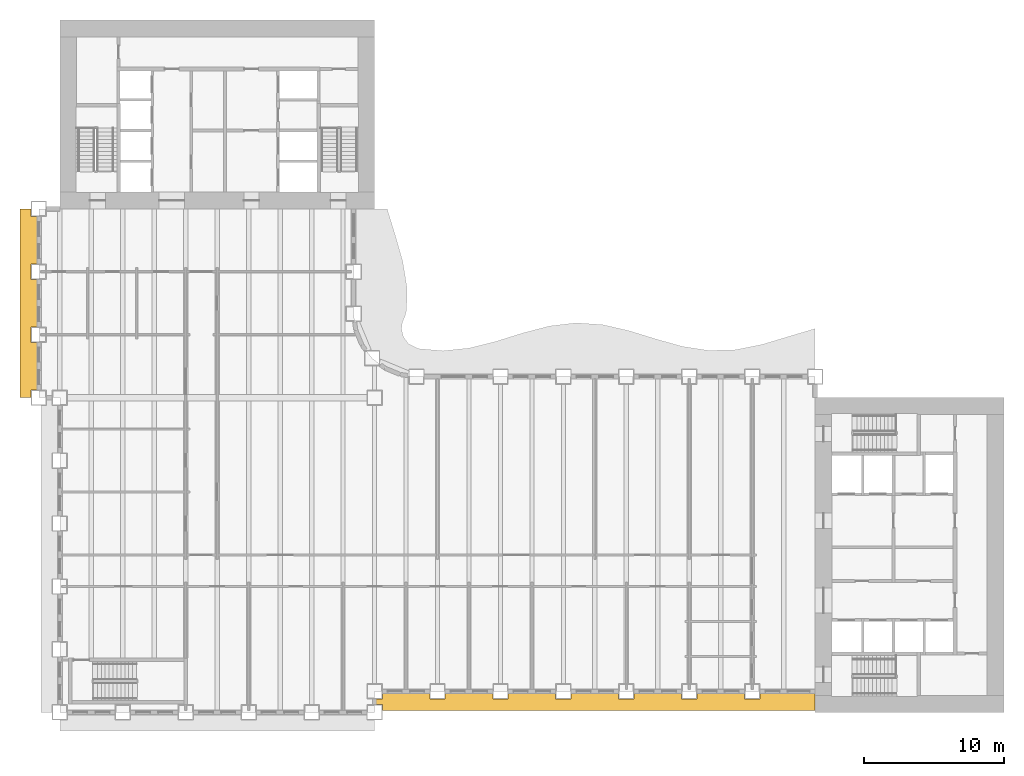
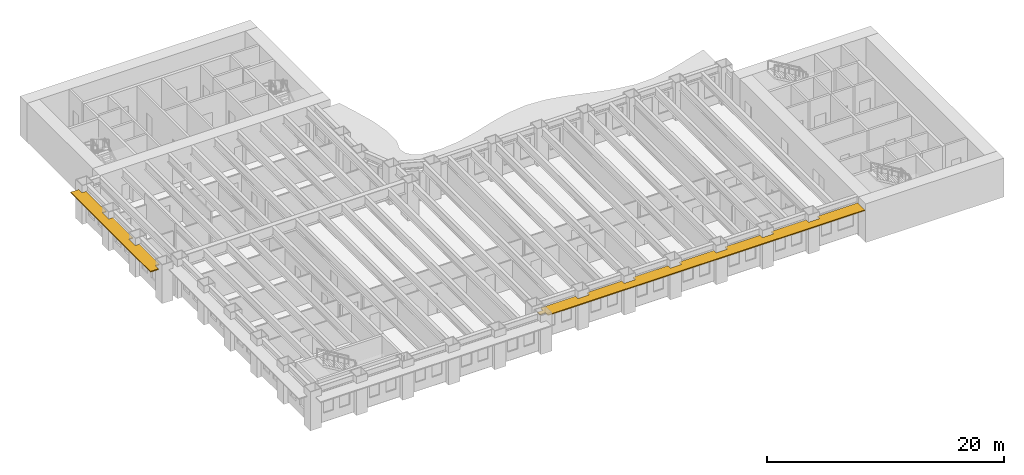
# One storey, part 11 of 15: 2 shading devices.
"""IFC4 building model written with IfcOpenShell, lengths in metres."""

import ifcopenshell
import ifcopenshell.guid

model = None  # the IFC model being written
_history = None  # IfcOwnerHistory: only IFC2X3 demands one
_inside = {}  # id of a spatial element -> (the spatial element, [elements in it])
_under = {}  # id of a project, library or spatial element -> (it, [spatial elements below it])
_declared = {}  # id of a project -> (the project, [libraries it declares])
_typed = {}  # id of a type object -> (the type object, [elements of that type])
_made_of = {}  # id of a material, layer set ... -> (it, [elements and type objects made of it])


def new_model(schema):
    """Start an empty IFC model of exactly this schema.

    Asked for "IFC4X3", IfcOpenShell would pick the latest addendum, in which some entities
    have other attributes; the version numbers below select the first issue.
    IFC2X3 requires an IfcOwnerHistory on every rooted entity: one is made here for all.
    """
    global model, _history
    if schema == "IFC4X3":
        model = ifcopenshell.file(schema_version=(4, 3, 0, 0))
    else:
        model = ifcopenshell.file(schema=schema)
    _inside.clear()
    _under.clear()
    _declared.clear()
    _typed.clear()
    _made_of.clear()
    _history = None
    if model.schema == "IFC2X3":
        org = make("IfcOrganization", Name="unknown")
        user = make(
            "IfcPersonAndOrganization",
            ThePerson=make("IfcPerson", FamilyName="unknown"),
            TheOrganization=org,
        )
        app = make(
            "IfcApplication",
            ApplicationDeveloper=org,
            Version="unknown",
            ApplicationFullName="unknown",
            ApplicationIdentifier="unknown",
        )
        _history = make(
            "IfcOwnerHistory",
            OwningUser=user,
            OwningApplication=app,
            ChangeAction="ADDED",
            CreationDate=0,
        )
    return model


def make(cls, **values):
    """One entity of the class cls with the attributes given. An attribute that is None is left unset."""
    return model.create_entity(
        cls, **{name: value for name, value in values.items() if value is not None}
    )


def rooted(cls, **values):
    """An entity with a GlobalId (a new one), such as an element, a storey or a relation."""
    return make(cls, GlobalId=ifcopenshell.guid.new(), OwnerHistory=_history, **values)


def si_unit(unit_type, name, prefix=None):
    """IfcSIUnit, for example si_unit("LENGTHUNIT", "METRE", prefix="MILLI")."""
    return make("IfcSIUnit", UnitType=unit_type, Prefix=prefix, Name=name)


def assignment(units):
    """IfcUnitAssignment: the units of a project."""
    return None if units is None else make("IfcUnitAssignment", Units=units)


def point(xyz):
    """IfcCartesianPoint."""
    return None if xyz is None else make("IfcCartesianPoint", Coordinates=xyz)


def direction(xyz):
    """IfcDirection."""
    return None if xyz is None else make("IfcDirection", DirectionRatios=xyz)


def frame(location, z_axis=None, x_axis=None):
    """IfcAxis2Placement3D, a coordinate frame: its origin and axes. An axis left out is left unset."""
    return make(
        "IfcAxis2Placement3D",
        Location=point(location),
        Axis=direction(z_axis),
        RefDirection=direction(x_axis),
    )


def origin():
    """The frame at (0, 0, 0) with its axes left unset."""
    return frame((0.0, 0.0, 0.0))


def place(relative_to, where):
    """IfcLocalPlacement: puts the frame where relative to a parent placement (None: the world)."""
    return make(
        "IfcLocalPlacement", PlacementRelTo=relative_to, RelativePlacement=where
    )


def context(
    kind, dimensions, precision=None, world=None, true_north=None, identifier=None
):
    """IfcGeometricRepresentationContext, for example the 3D "Model" context."""
    return make(
        "IfcGeometricRepresentationContext",
        ContextIdentifier=identifier,
        ContextType=kind,
        CoordinateSpaceDimension=dimensions,
        Precision=precision,
        WorldCoordinateSystem=world,
        TrueNorth=true_north,
    )


def subcontext(parent, identifier, kind, view, scale=None):
    """IfcGeometricRepresentationSubContext, for example "Body" below "Model"."""
    return make(
        "IfcGeometricRepresentationSubContext",
        ContextIdentifier=identifier,
        ContextType=kind,
        ParentContext=parent,
        TargetScale=scale,
        TargetView=view,
    )


def project(units=None, contexts=None):
    """IfcProject with its units and contexts."""
    return rooted(
        "IfcProject",
        Name="project",
        RepresentationContexts=contexts,
        UnitsInContext=assignment(units),
    )


def spatial(cls, under=None, at=None, **own):
    """A site, building, storey or space (cls), placed at a placement, below another one or the project."""
    s = rooted(cls, ObjectPlacement=at, **own)
    if under is not None:
        _under.setdefault(under.id(), (under, []))[1].append(s)
    return s


def polyline(points):
    """IfcPolyline through the points."""
    return make("IfcPolyline", Points=[point(p) for p in points])


def outline(outer, holes=None, kind="AREA"):
    """IfcArbitraryClosedProfileDef: a profile drawn as a closed curve; with holes, ...WithVoids."""
    if holes is None:
        return make("IfcArbitraryClosedProfileDef", ProfileType=kind, OuterCurve=outer)
    return make(
        "IfcArbitraryProfileDefWithVoids",
        ProfileType=kind,
        OuterCurve=outer,
        InnerCurves=holes,
    )


def extrude(swept, where, along, depth):
    """IfcExtrudedAreaSolid: the profile swept, set in the frame where, extruded along a direction by depth."""
    return make(
        "IfcExtrudedAreaSolid",
        SweptArea=swept,
        Position=where,
        ExtrudedDirection=direction(along),
        Depth=depth,
    )


def shape(context_of_items, identifier, shape_type, items):
    """IfcShapeRepresentation: the items that make up one representation, for example the "Body"."""
    return make(
        "IfcShapeRepresentation",
        ContextOfItems=context_of_items,
        RepresentationIdentifier=identifier,
        RepresentationType=shape_type,
        Items=items,
    )


def material(Name=None, Category=None):
    """IfcMaterial."""
    return make("IfcMaterial", Name=Name, Category=Category)


def layer(
    of_material, thickness, ventilated=None, Name=None, Category=None, Priority=None
):
    """IfcMaterialLayer: one layer of a wall or slab, of a material (None: an air gap)."""
    return make(
        "IfcMaterialLayer",
        Material=of_material,
        LayerThickness=thickness,
        IsVentilated=ventilated,
        Name=Name,
        Category=Category,
        Priority=Priority,
    )


def layer_set(layers, Name=None):
    """IfcMaterialLayerSet."""
    return make("IfcMaterialLayerSet", MaterialLayers=layers, LayerSetName=Name)


def made_of(thing, what):
    """Note that an element or type object is made of a material, layer set ...; save() writes the relation."""
    if what is not None:
        _made_of.setdefault(what.id(), (what, []))[1].append(thing)
    return thing


def type_object(cls, material=None, **own):
    """A type object (cls), such as IfcWallType, which elements share."""
    return made_of(rooted(cls, **own), material)


def element(
    cls,
    number,
    at=None,
    inside=None,
    cuts=None,
    type_object=None,
    material=None,
    context=None,
    identifier="Body",
    shape_type=None,
    held_by="IfcProductDefinitionShape",
    body=None,
    shapes=None,
    **own,
):
    """One element of the class cls, such as IfcWall. Its Tag is "e" and its number.

    at: its placement. inside: the storey or other place that contains it. cuts: it is an
    opening in that element (IfcRelVoidsElement). A single representation is given by context,
    identifier, shape_type and body (its items); several are given by shapes. held_by: the class
    of the entity that holds the representations. save() writes the other relations.
    """
    e = rooted(cls, Tag="e%d" % number, ObjectPlacement=at, **own)
    if body is not None:
        shapes = [shape(context, identifier, shape_type, body)]
    if shapes is not None:
        e.Representation = make(held_by, Representations=shapes)
    if inside is not None:
        _inside.setdefault(inside.id(), (inside, []))[1].append(e)
    if cuts is not None:
        rooted(
            "IfcRelVoidsElement", RelatingBuildingElement=cuts, RelatedOpeningElement=e
        )
    if type_object is not None:
        _typed.setdefault(type_object.id(), (type_object, []))[1].append(e)
    return made_of(e, material)


def aggregate(whole, parts):
    """IfcRelAggregates: a whole, such as a stair, and the parts it consists of."""
    return rooted("IfcRelAggregates", RelatingObject=whole, RelatedObjects=parts)


def save(model, path):
    """Write the relations noted so far, then the file.

    IfcRelAggregates (storeys below a building ...), IfcRelContainedInSpatialStructure (elements
    in a storey), IfcRelDefinesByType, IfcRelAssociatesMaterial and IfcRelDeclares: one each for
    every whole, place, type object, material and project.
    """
    for whole, parts in _under.values():
        aggregate(whole, parts)
    for where, things in _inside.values():
        rooted(
            "IfcRelContainedInSpatialStructure",
            RelatedElements=things,
            RelatingStructure=where,
        )
    for kind, things in _typed.values():
        rooted("IfcRelDefinesByType", RelatedObjects=things, RelatingType=kind)
    for what, things in _made_of.values():
        rooted("IfcRelAssociatesMaterial", RelatedObjects=things, RelatingMaterial=what)
    for by, libraries in _declared.values():
        rooted("IfcRelDeclares", RelatingContext=by, RelatedDefinitions=libraries)
    model.write(path)


model = new_model("IFC4")

# Units and contexts
model_context = context("Model", 3, precision=1e-05, world=origin(), true_north=direction((0.0, 1.0)))
body_context = subcontext(model_context, "Body", "Model", "MODEL_VIEW")
ifc_project = project(units=[si_unit("LENGTHUNIT", "METRE"), si_unit("AREAUNIT", "SQUARE_METRE"), si_unit("VOLUMEUNIT", "CUBIC_METRE"), si_unit("PLANEANGLEUNIT", "RADIAN"), si_unit("MASSUNIT", "GRAM", prefix="KILO")], contexts=[model_context])

# Site, building, storey
site_placement = place(None, origin())
site = spatial("IfcSite", under=ifc_project, at=site_placement, CompositionType="ELEMENT")
building_placement = place(site_placement, origin())
building = spatial("IfcBuilding", under=site, at=building_placement, Name="Sennacour Bend Tower", CompositionType="ELEMENT")
storey_placement = place(building_placement, frame((0.0, 0.0, 37.0)))
storey = spatial("IfcBuildingStorey", under=building, at=storey_placement, Name="L07", CompositionType="ELEMENT", Elevation=37.0)

# Shading devices
ifc_material = material(Name="Bronze anodised aluminium", Category="aluminium")
ifc_layer = layer(ifc_material, 0.10009765625, Name="Bronze anodised aluminium", Category="aluminium")
ifc_layer_set = layer_set([ifc_layer], Name="Bronze anodised aluminium")
shading_device_type = type_object("IfcShadingDeviceType", Name="SUNSHADE BAND STRAIGHT", PredefinedType="USERDEFINED", material=ifc_layer_set)
shading_device_1_placement = place(storey_placement, frame((0.0, 0.0, 3.0439453125)))
element("IfcShadingDevice", 1, at=shading_device_1_placement, inside=storey, type_object=shading_device_type, Name="Sunshade band L07 A outer face", ObjectType="SUNSHADE", PredefinedType="USERDEFINED", context=body_context, shape_type="SweptSolid", body=[
    extrude(outline(polyline([(26.449951171875, 1.35009765625), (26.449951171875, 0.949951171875), (27.550048828125, 0.949951171875), (27.550048828125, 1.35009765625), (30.949951171875, 1.35009765625), (30.949951171875, 0.949951171875), (32.050048828125, 0.949951171875), (32.050048828125, 1.35009765625), (35.449951171875, 1.35009765625), (35.449951171875, 0.949951171875), (36.550048828125, 0.949951171875), (36.550048828125, 1.35009765625), (39.949951171875, 1.35009765625), (39.949951171875, 0.949951171875), (41.050048828125, 0.949951171875), (41.050048828125, 1.35009765625), (44.449951171875, 1.35009765625), (44.449951171875, 0.949951171875), (45.550048828125, 0.949951171875), (45.550048828125, 1.35009765625), (48.949951171875, 1.35009765625), (48.949951171875, 0.949951171875), (50.050048828125, 0.949951171875), (50.050048828125, 1.35009765625), (54.0, 1.35009765625), (54.0, 0.14990234375), (23.050048828125, 0.14990234375), (23.050048828125, 0.550048828125), (22.5, 0.550048828125), (22.5, 0.949951171875), (23.050048828125, 0.949951171875), (23.050048828125, 1.35009765625), (26.449951171875, 1.35009765625)])), origin(), (0.0, 0.0, 1.0), 0.10009765625),
])
shading_device_2_placement = place(storey_placement, frame((0.0, 0.0, 3.0439453125)))
element("IfcShadingDevice", 2, at=shading_device_2_placement, inside=storey, type_object=shading_device_type, Name="Sunshade band L07 B outer face", ObjectType="SUNSHADE", PredefinedType="USERDEFINED", context=body_context, shape_type="SweptSolid", body=[
    extrude(outline(polyline([(-1.64990234375, 32.050048828125), (-2.050048828125, 32.050048828125), (-2.050048828125, 30.949951171875), (-1.64990234375, 30.949951171875), (-1.64990234375, 27.550048828125), (-2.050048828125, 27.550048828125), (-2.050048828125, 26.449951171875), (-1.64990234375, 26.449951171875), (-1.64990234375, 23.050048828125), (-2.050048828125, 23.050048828125), (-2.050048828125, 22.5), (-2.85009765625, 22.5), (-2.85009765625, 36.0), (-2.050048828125, 36.0), (-2.050048828125, 35.449951171875), (-1.64990234375, 35.449951171875), (-1.64990234375, 32.050048828125)])), origin(), (0.0, 0.0, 1.0), 0.10009765625),
])

save(model, "model.ifc")
